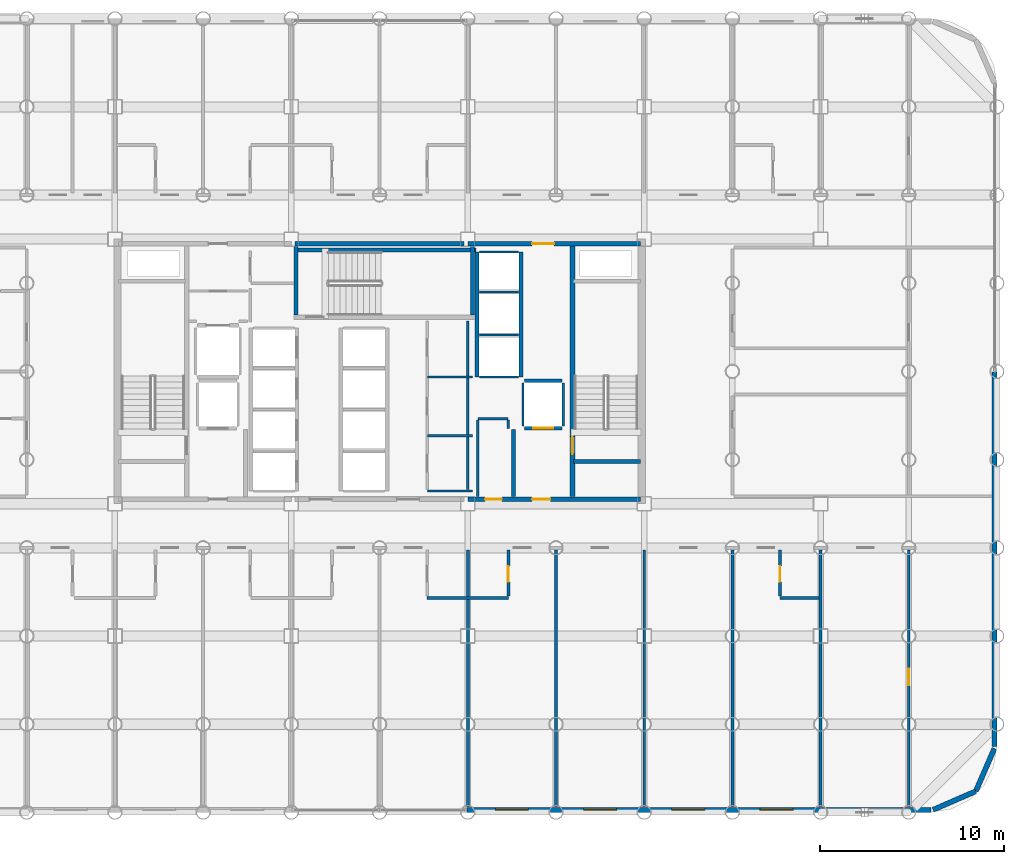
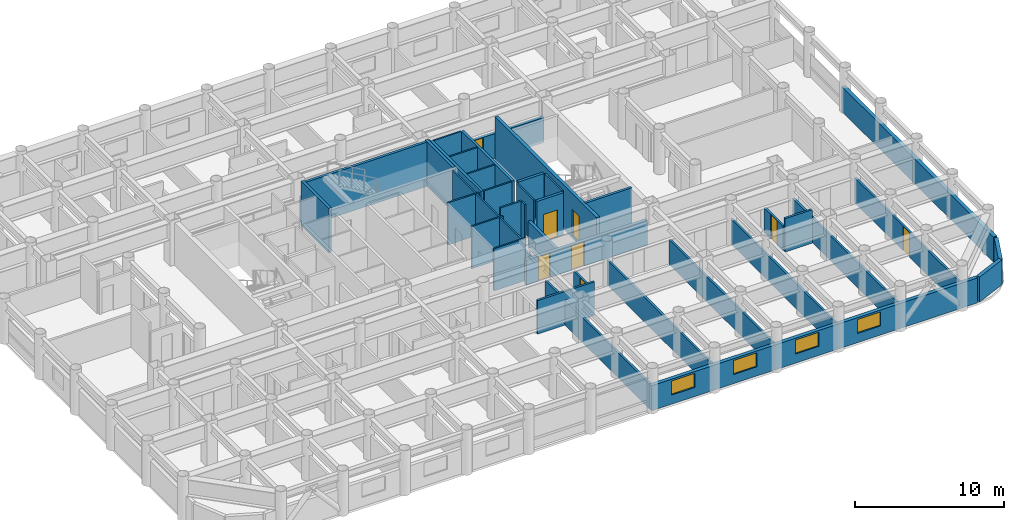
# One storey, part 17 of 21: 40 walls, 8 doors, 4 windows, 12 openings.
"""IFC4 building model written with IfcOpenShell, lengths in metres."""

from ifc_helpers import new_model, si_unit, direction, frame, frame_2d, origin, place, context, subcontext, project, spatial, rectangle, extrude, material, layer, layer_set, type_object, element, fill, save


model = new_model("IFC4")

# Units and contexts
model_context = context("Model", 3, precision=1e-05, world=origin(), true_north=direction((0.0, 1.0)))
body_context = subcontext(model_context, "Body", "Model", "MODEL_VIEW")
ifc_project = project(units=[si_unit("LENGTHUNIT", "METRE"), si_unit("AREAUNIT", "SQUARE_METRE"), si_unit("VOLUMEUNIT", "CUBIC_METRE"), si_unit("PLANEANGLEUNIT", "RADIAN"), si_unit("MASSUNIT", "GRAM", prefix="KILO")], contexts=[model_context])

# Site, building, storey
site_placement = place(None, origin())
site = spatial("IfcSite", under=ifc_project, at=site_placement, CompositionType="ELEMENT")
building_placement = place(site_placement, origin())
building = spatial("IfcBuilding", under=site, at=building_placement, Name="Kallvorn Hotel Tower", CompositionType="ELEMENT")
storey_placement = place(building_placement, frame((0.0, 0.0, 85.5)))
storey = spatial("IfcBuildingStorey", under=building, at=storey_placement, Name="L20", CompositionType="ELEMENT", Elevation=85.5)

# Walls
ifc_material_1 = material(Name="Fire-rated double-layer acoustic gypsum drywall EI 60")
ifc_layer_1 = layer(ifc_material_1, 0.159912109375)
ifc_layer_set_1 = layer_set([ifc_layer_1], Name="WL_DEMISE_160")
wall_type_1 = type_object("IfcWallType", Name="WL_DEMISE_160", PredefinedType="PARTITIONING", material=ifc_layer_set_1)
wall_1_placement = place(storey_placement, frame((2.590087890625, -12.320068359375, 0.0), z_axis=(0.0, 0.0, 1.0), x_axis=(1.0, 0.0, 0.0)))
element("IfcWall", 1, at=wall_1_placement, inside=storey, type_object=wall_type_1, Name="L20 Suite 2007 Superior Twin Room Partition", PredefinedType="PARTITIONING", context=body_context, shape_type="SweptSolid", body=[
    extrude(rectangle(XDim=4.419921875, YDim=0.159912109375, at=frame_2d((2.2099609375, 0.0))), origin(), (0.0, 0.0, 1.0), 2.75),
])
wall_2_placement = place(storey_placement, frame((21.7900390625, -12.320068359375, 0.0), z_axis=(0.0, 0.0, 1.0), x_axis=(1.0, 0.0, 0.0)))
element("IfcWall", 2, at=wall_2_placement, inside=storey, type_object=wall_type_1, Name="L20 Suite 2009 Deluxe King Room Partition", PredefinedType="PARTITIONING", context=body_context, shape_type="SweptSolid", body=[
    extrude(rectangle(XDim=2.1298828125, YDim=0.159912109375, at=frame_2d((1.06494140625, 0.0))), origin(), (0.0, 0.0, 1.0), 2.75),
])
wall_3_placement = place(storey_placement, frame((4.800048828125, -23.7099609375, 0.0), z_axis=(0.0, 0.0, 1.0), x_axis=(0.0, 1.0, 0.0)))
element("IfcWall", 3, at=wall_3_placement, inside=storey, type_object=wall_type_1, Name="L20 Suite 2007 Superior Twin Room Partition", PredefinedType="PARTITIONING", context=body_context, shape_type="SweptSolid", body=[
    extrude(rectangle(XDim=13.989990234375, YDim=0.159912109375, at=frame_2d((6.9951171875, 0.0))), origin(), (0.0, 0.0, 1.0), 2.050048828125),
])

# Wall, opening, door
wall_4_placement = place(storey_placement, frame((7.006591796875, -12.235107421875, 0.0), z_axis=(0.0, 0.0, 1.0), x_axis=(0.0, 1.0, 0.0)))
wall_4 = element("IfcWall", 4, at=wall_4_placement, inside=storey, type_object=wall_type_1, Name="L20 Suite 2008 Superior Twin Room Partition", PredefinedType="PARTITIONING", context=body_context, shape_type="SweptSolid", body=[
    extrude(rectangle(XDim=2.51513671875, YDim=0.159912109375, at=frame_2d((1.257568359375, 0.0))), origin(), (0.0, 0.0, 1.0), 2.050048828125),
])
opening_1_placement = place(wall_4_placement, frame((0.784912109375, 0.0, 0.0)))
opening_1 = element("IfcOpeningElement", 5, at=opening_1_placement, cuts=wall_4, Name="Opening BD-IA", PredefinedType="OPENING", context=body_context, shape_type="SweptSolid", body=[
    extrude(rectangle(XDim=0.860107421875, YDim=2.02001953125, at=frame_2d((0.43017578125, 1.010009765625))), frame((0.0, 0.094970703125, 0.0), z_axis=(0.0, -1.0, 0.0), x_axis=(1.0, 0.0, 0.0)), (0.0, 0.0, 1.0), 0.18994140625),
])
ifc_material_2 = material(Name="Solid-core walnut veneer fire-rated timber door leaf", Category="wood")
door_type_1 = type_object("IfcDoorType", Name="DR_BATH_860x2020", OperationType="NOTDEFINED", PredefinedType="DOOR", material=ifc_material_2)
door_1_placement = place(opening_1_placement, origin())
door_1 = element("IfcDoor", 6, at=door_1_placement, inside=storey, type_object=door_type_1, Name="L20 Suite 2008 En-Suite Bathroom Door", OperationType="SINGLE_SWING_RIGHT", OverallHeight=2.02001953125, OverallWidth=0.860107421875, PredefinedType="DOOR", context=body_context, shape_type="SweptSolid", body=[
    extrude(rectangle(XDim=0.860107421875, YDim=2.02001953125, at=frame_2d((0.43017578125, 1.010009765625))), frame((0.0, 0.02490234375, 0.0), z_axis=(0.0, -1.0, 0.0), x_axis=(1.0, 0.0, 0.0)), (0.0, 0.0, 1.0), 0.050048828125),
])
fill(opening_1, door_1)

# Walls
for number, where, z_axis, x_axis, name in (
    (7, (9.60009765625, -23.7099609375, 0.0), (0.0, 0.0, 1.0), (0.0, 1.0, 0.0), "L20 Suite 2008 Superior Twin Room Partition"),
    (8, (19.199951171875, -23.7099609375, 0.0), (0.0, 0.0, 1.0), (0.0, 1.0, 0.0), "L20 Suite 2009 Deluxe King Room Partition"),
):
    element("IfcWall", number, at=place(storey_placement, frame(where, z_axis=z_axis, x_axis=x_axis)), inside=storey, type_object=wall_type_1, Name=name, PredefinedType="PARTITIONING", context=body_context, shape_type="SweptSolid", body=[
        extrude(rectangle(XDim=13.989990234375, YDim=0.159912109375, at=frame_2d((6.9951171875, 0.0))), origin(), (0.0, 0.0, 1.0), 2.050048828125),
    ])

# Wall, opening, door
wall_5_placement = place(storey_placement, frame((21.7900390625, -12.235107421875, 0.0), z_axis=(0.0, 0.0, 1.0), x_axis=(0.0, 1.0, 0.0)))
wall_5 = element("IfcWall", 9, at=wall_5_placement, inside=storey, type_object=wall_type_1, Name="L20 Suite 2009 Deluxe King Room Partition", PredefinedType="PARTITIONING", context=body_context, shape_type="SweptSolid", body=[
    extrude(rectangle(XDim=2.51513671875, YDim=0.159912109375, at=frame_2d((1.257568359375, 0.0))), origin(), (0.0, 0.0, 1.0), 2.050048828125),
])
opening_2_placement = place(wall_5_placement, frame((0.784912109375, 0.0, 0.0)))
opening_2 = element("IfcOpeningElement", 10, at=opening_2_placement, cuts=wall_5, Name="Opening BD-IA", PredefinedType="OPENING", context=body_context, shape_type="SweptSolid", body=[
    extrude(rectangle(XDim=0.860107421875, YDim=2.02001953125, at=frame_2d((0.43017578125, 1.010009765625))), frame((0.0, 0.094970703125, 0.0), z_axis=(0.0, -1.0, 0.0), x_axis=(1.0, 0.0, 0.0)), (0.0, 0.0, 1.0), 0.18994140625),
])
door_2_placement = place(opening_2_placement, origin())
door_2 = element("IfcDoor", 11, at=door_2_placement, inside=storey, type_object=door_type_1, Name="L20 Suite 2009 En-Suite Bathroom Door", OperationType="SINGLE_SWING_LEFT", OverallHeight=2.02001953125, OverallWidth=0.860107421875, PredefinedType="DOOR", context=body_context, shape_type="SweptSolid", body=[
    extrude(rectangle(XDim=0.860107421875, YDim=2.02001953125, at=frame_2d((0.43017578125, 1.010009765625))), frame((0.0, 0.02490234375, 0.0), z_axis=(0.0, -1.0, 0.0), x_axis=(1.0, 0.0, 0.0)), (0.0, 0.0, 1.0), 0.050048828125),
])
fill(opening_2, door_2)

# Walls
wall_6_placement = place(storey_placement, frame((24.0, -23.7099609375, 0.0), z_axis=(0.0, 0.0, 1.0), x_axis=(0.0, 1.0, 0.0)))
element("IfcWall", 12, at=wall_6_placement, inside=storey, type_object=wall_type_1, Name="L20 Suite 2009 Deluxe King Room Partition", PredefinedType="PARTITIONING", context=body_context, shape_type="SweptSolid", body=[
    extrude(rectangle(XDim=13.989990234375, YDim=0.159912109375, at=frame_2d((6.9951171875, 0.0))), origin(), (0.0, 0.0, 1.0), 2.050048828125),
])
ifc_material_3 = material(Name="Precast basalt-clad insulated concrete wall C40/50", Category="masonry")
ifc_layer_2 = layer(ifc_material_3, 0.280029296875)
ifc_layer_set_2 = layer_set([ifc_layer_2], Name="WL_EXT_LOGGIA_280")
wall_type_2 = type_object("IfcWallType", Name="WL_EXT_LOGGIA_280", PredefinedType="SOLIDWALL", material=ifc_layer_set_2)
wall_7_placement = place(storey_placement, frame((30.120849609375, -23.85791015625, 0.0), z_axis=(0.0, 0.0, 1.0), x_axis=(0.917060872934, 0.398747232384, 0.0)))
element("IfcWall", 13, at=wall_7_placement, inside=storey, type_object=wall_type_2, Name="L20 Rounded Corner Exterior Wall SE1", PredefinedType="SOLIDWALL", context=body_context, shape_type="SweptSolid", body=[
    extrude(rectangle(XDim=2.5361328125, YDim=0.280029296875, at=frame_2d((1.26806640625, 0.0))), origin(), (0.0, 0.0, 1.0), 2.050048828125),
])
wall_8_placement = place(storey_placement, frame((32.446533203125, -22.8466796875, 0.0), z_axis=(0.0, 0.0, 1.0), x_axis=(0.398792985289, 0.917040977756, 0.0)))
element("IfcWall", 14, at=wall_8_placement, inside=storey, type_object=wall_type_2, Name="L20 Rounded Corner Exterior Wall SE2", PredefinedType="SOLIDWALL", context=body_context, shape_type="SweptSolid", body=[
    extrude(rectangle(XDim=2.536376953125, YDim=0.280029296875, at=frame_2d((1.26806640625, 0.0))), origin(), (0.0, 0.0, 1.0), 2.050048828125),
])

# Wall, openings, windows
wall_9_placement = place(storey_placement, frame((4.75, -23.860107421875, 0.0), z_axis=(0.0, 0.0, 1.0), x_axis=(1.0, 0.0, 0.0)))
wall_9 = element("IfcWall", 15, at=wall_9_placement, inside=storey, type_object=wall_type_2, Name="L20 Exterior Envelope Wall EW-L20-SE", PredefinedType="SOLIDWALL", context=body_context, shape_type="SweptSolid", body=[
    extrude(rectangle(XDim=25.25, YDim=0.280029296875, at=frame_2d((12.625, 0.0))), origin(), (0.0, 0.0, 1.0), 2.050048828125),
])
opening_3_placement = place(wall_9_placement, frame((1.550048828125, 0.0, 0.75)))
opening_3 = element("IfcOpeningElement", 16, at=opening_3_placement, cuts=wall_9, Name="Opening W04A", PredefinedType="OPENING", context=body_context, shape_type="SweptSolid", body=[
    extrude(rectangle(XDim=1.800048828125, YDim=1.14990234375, at=frame_2d((0.89990234375, 0.574951171875))), frame((0.0, 0.155029296875, 0.0), z_axis=(0.0, -1.0, 0.0), x_axis=(1.0, 0.0, 0.0)), (0.0, 0.0, 1.0), 0.31005859375),
])
opening_4_placement = place(wall_9_placement, frame((6.35009765625, 0.0, 0.75)))
opening_4 = element("IfcOpeningElement", 17, at=opening_4_placement, cuts=wall_9, Name="Opening W04A", PredefinedType="OPENING", context=body_context, shape_type="SweptSolid", body=[
    extrude(rectangle(XDim=1.800048828125, YDim=1.14990234375, at=frame_2d((0.89990234375, 0.574951171875))), frame((0.0, 0.155029296875, 0.0), z_axis=(0.0, -1.0, 0.0), x_axis=(1.0, 0.0, 0.0)), (0.0, 0.0, 1.0), 0.31005859375),
])
opening_5_placement = place(wall_9_placement, frame((11.14990234375, 0.0, 0.75)))
opening_5 = element("IfcOpeningElement", 18, at=opening_5_placement, cuts=wall_9, Name="Opening W04A", PredefinedType="OPENING", context=body_context, shape_type="SweptSolid", body=[
    extrude(rectangle(XDim=1.800048828125, YDim=1.14990234375, at=frame_2d((0.89990234375, 0.574951171875))), frame((0.0, 0.155029296875, 0.0), z_axis=(0.0, -1.0, 0.0), x_axis=(1.0, 0.0, 0.0)), (0.0, 0.0, 1.0), 0.31005859375),
])
opening_6_placement = place(wall_9_placement, frame((15.949951171875, 0.0, 0.75)))
opening_6 = element("IfcOpeningElement", 19, at=opening_6_placement, cuts=wall_9, Name="Opening W04A", PredefinedType="OPENING", context=body_context, shape_type="SweptSolid", body=[
    extrude(rectangle(XDim=1.800048828125, YDim=1.14990234375, at=frame_2d((0.89990234375, 0.574951171875))), frame((0.0, 0.155029296875, 0.0), z_axis=(0.0, -1.0, 0.0), x_axis=(1.0, 0.0, 0.0)), (0.0, 0.0, 1.0), 0.31005859375),
])
ifc_material_4 = material(Name="Double-glazed low-e solar-control dark glass", Category="glass")
window_type = type_object("IfcWindowType", Name="WN_HTL_1800x1150", PartitioningType="SINGLE_PANEL", PredefinedType="WINDOW", material=ifc_material_4)
window_1_placement = place(opening_3_placement, origin())
window_1 = element("IfcWindow", 20, at=window_1_placement, inside=storey, type_object=window_type, Name="L20 Guestroom Exterior Window 05", OverallHeight=1.14990234375, OverallWidth=1.800048828125, PartitioningType="SINGLE_PANEL", PredefinedType="WINDOW", context=body_context, shape_type="SweptSolid", body=[
    extrude(rectangle(XDim=1.800048828125, YDim=1.14990234375, at=frame_2d((0.89990234375, 0.574951171875))), frame((0.0, 0.030029296875, 0.0), z_axis=(0.0, -1.0, 0.0), x_axis=(1.0, 0.0, 0.0)), (0.0, 0.0, 1.0), 0.06005859375),
])
fill(opening_3, window_1)
window_2_placement = place(opening_4_placement, origin())
window_2 = element("IfcWindow", 21, at=window_2_placement, inside=storey, type_object=window_type, Name="L20 Guestroom Exterior Window 06", OverallHeight=1.14990234375, OverallWidth=1.800048828125, PartitioningType="SINGLE_PANEL", PredefinedType="WINDOW", context=body_context, shape_type="SweptSolid", body=[
    extrude(rectangle(XDim=1.800048828125, YDim=1.14990234375, at=frame_2d((0.89990234375, 0.574951171875))), frame((0.0, 0.030029296875, 0.0), z_axis=(0.0, -1.0, 0.0), x_axis=(1.0, 0.0, 0.0)), (0.0, 0.0, 1.0), 0.06005859375),
])
fill(opening_4, window_2)
window_3_placement = place(opening_5_placement, origin())
window_3 = element("IfcWindow", 22, at=window_3_placement, inside=storey, type_object=window_type, Name="L20 Guestroom Exterior Window 07", OverallHeight=1.14990234375, OverallWidth=1.800048828125, PartitioningType="SINGLE_PANEL", PredefinedType="WINDOW", context=body_context, shape_type="SweptSolid", body=[
    extrude(rectangle(XDim=1.800048828125, YDim=1.14990234375, at=frame_2d((0.89990234375, 0.574951171875))), frame((0.0, 0.030029296875, 0.0), z_axis=(0.0, -1.0, 0.0), x_axis=(1.0, 0.0, 0.0)), (0.0, 0.0, 1.0), 0.06005859375),
])
fill(opening_5, window_3)
window_4_placement = place(opening_6_placement, origin())
window_4 = element("IfcWindow", 23, at=window_4_placement, inside=storey, type_object=window_type, Name="L20 Guestroom Exterior Window 08", OverallHeight=1.14990234375, OverallWidth=1.800048828125, PartitioningType="SINGLE_PANEL", PredefinedType="WINDOW", context=body_context, shape_type="SweptSolid", body=[
    extrude(rectangle(XDim=1.800048828125, YDim=1.14990234375, at=frame_2d((0.89990234375, 0.574951171875))), frame((0.0, 0.030029296875, 0.0), z_axis=(0.0, -1.0, 0.0), x_axis=(1.0, 0.0, 0.0)), (0.0, 0.0, 1.0), 0.06005859375),
])
fill(opening_6, window_4)

# Walls
wall_10_placement = place(storey_placement, frame((33.4599609375, -20.39990234375, 0.0), z_axis=(0.0, 0.0, 1.0), x_axis=(0.0, 1.0, 0.0)))
element("IfcWall", 24, at=wall_10_placement, inside=storey, type_object=wall_type_2, Name="L20 Exterior Envelope Wall EW-L20-ES", PredefinedType="SOLIDWALL", context=body_context, shape_type="SweptSolid", body=[
    extrude(rectangle(XDim=20.3798828125, YDim=0.280029296875, at=frame_2d((10.18994140625, 0.0))), origin(), (0.0, 0.0, 1.0), 2.050048828125),
])
ifc_material_5 = material(Name="Concrete C40/50", Category="concrete")
ifc_layer_3 = layer(ifc_material_5, 0.219970703125)
ifc_layer_set_3 = layer_set([ifc_layer_3], Name="WL_FFL_220")
wall_type_3 = type_object("IfcWallType", Name="WL_FFL_220", PredefinedType="SOLIDWALL", material=ifc_layer_set_3)
wall_11_placement = place(storey_placement, frame((7.300048828125, -6.820068359375, 0.0), z_axis=(0.0, 0.0, 1.0), x_axis=(0.0, 1.0, 0.0)))
element("IfcWall", 25, at=wall_11_placement, inside=storey, type_object=wall_type_3, Name="L20 Firefighting Lobby East Divider Wall", PredefinedType="SOLIDWALL", context=body_context, shape_type="SweptSolid", body=[
    extrude(rectangle(XDim=3.670166015625, YDim=0.219970703125, at=frame_2d((1.8349609375, 0.0))), origin(), (0.0, 0.0, 1.0), 2.050048828125),
])
ifc_material_6 = material(Name="Concrete C40/50", Category="concrete")
ifc_layer_4 = layer(ifc_material_6, 0.199951171875)
ifc_layer_set_4 = layer_set([ifc_layer_4], Name="WL_HOIST_200")
wall_type_4 = type_object("IfcWallType", Name="WL_HOIST_200", PredefinedType="SOLIDWALL", material=ifc_layer_set_4)
wall_12_placement = place(storey_placement, frame((10.550048828125, -4.89990234375, -0.179931640625), z_axis=(0.0, 0.0, 1.0), x_axis=(1.0, 0.0, 0.0)))
element("IfcWall", 26, at=wall_12_placement, inside=storey, type_object=wall_type_4, Name="L20 Stair ST2 South Wall", PredefinedType="SOLIDWALL", context=body_context, shape_type="SweptSolid", body=[
    extrude(rectangle(XDim=3.64990234375, YDim=0.199951171875, at=frame_2d((1.824951171875, 0.0))), origin(), (0.0, 0.0, 1.0), 3.6298828125),
])
wall_13_placement = place(storey_placement, frame((-4.64990234375, 6.610107421875, -0.179931640625), z_axis=(0.0, 0.0, 1.0), x_axis=(1.0, 0.0, 0.0)))
element("IfcWall", 27, at=wall_13_placement, inside=storey, type_object=wall_type_4, Name="L20 Stair ST3 Shaft North Wall", PredefinedType="SOLIDWALL", context=body_context, shape_type="SweptSolid", body=[
    extrude(rectangle(XDim=9.89990234375, YDim=0.199951171875, at=frame_2d((4.949951171875, 0.0))), origin(), (0.0, 0.0, 1.0), 3.6298828125),
])
for number, where, z_axis, x_axis, name in (
    (28, (-4.550048828125, 3.080078125, -0.179931640625), (0.0, 0.0, 1.0), (0.0, 1.0, 0.0), "L20 Stair ST3 West Wall"),
    (29, (5.06005859375, 3.080078125, -0.179931640625), (0.0, 0.0, 1.0), (0.0, 1.0, 0.0), "L20 Stair ST3 East Wall"),
):
    element("IfcWall", number, at=place(storey_placement, frame(where, z_axis=z_axis, x_axis=x_axis)), inside=storey, type_object=wall_type_4, Name=name, PredefinedType="SOLIDWALL", context=body_context, shape_type="SweptSolid", body=[
        extrude(rectangle(XDim=3.739990234375, YDim=0.199951171875, at=frame_2d((1.8701171875, 0.0))), origin(), (0.0, 0.0, 1.0), 3.6298828125),
    ])
for number, where, z_axis, x_axis, name in (
    (30, (7.699951171875, -0.300048828125, 0.0), (0.0, 0.0, 1.0), (0.0, 1.0, 0.0), "L20 Lift Bank OBS Landing Wall"),
    (31, (5.300048828125, -0.300048828125, 0.0), (0.0, 0.0, 1.0), (0.0, 1.0, 0.0), "L20 Lift Bank OBS Rear Shaft Wall"),
):
    element("IfcWall", number, at=place(storey_placement, frame(where, z_axis=z_axis, x_axis=x_axis)), inside=storey, type_object=wall_type_4, Name=name, PredefinedType="SOLIDWALL", context=body_context, shape_type="SweptSolid", body=[
        extrude(rectangle(XDim=6.800048828125, YDim=0.199951171875, at=frame_2d((3.39990234375, 0.0))), origin(), (0.0, 0.0, 1.0), 3.449951171875),
    ])

# Wall, opening, door
wall_14_placement = place(storey_placement, frame((7.8798828125, -3.10009765625, 0.0), z_axis=(0.0, 0.0, 1.0), x_axis=(1.0, 0.0, 0.0)))
wall_14 = element("IfcWall", 32, at=wall_14_placement, inside=storey, type_object=wall_type_4, Name="L20 FL-2 Landing Wall", PredefinedType="SOLIDWALL", context=body_context, shape_type="SweptSolid", body=[
    extrude(rectangle(XDim=2.0400390625, YDim=0.199951171875, at=frame_2d((1.02001953125, 0.0))), origin(), (0.0, 0.0, 1.0), 3.449951171875),
])
opening_7_placement = place(wall_14_placement, frame((0.469970703125, 0.0, 0.0)))
opening_7 = element("IfcOpeningElement", 33, at=opening_7_placement, cuts=wall_14, Name="Opening LD-FL-2", PredefinedType="OPENING", context=body_context, shape_type="SweptSolid", body=[
    extrude(rectangle(XDim=1.10009765625, YDim=2.199951171875, at=frame_2d((0.550048828125, 1.10009765625))), frame((0.0, 0.114990234375, 0.0), z_axis=(0.0, -1.0, 0.0), x_axis=(1.0, 0.0, 0.0)), (0.0, 0.0, 1.0), 0.22998046875),
])
ifc_material_7 = material(Name="Brushed stainless-steel automatic sliding lift landing door", Category="steel")
door_type_2 = type_object("IfcDoorType", Name="LD_PASS_1100x2200", OperationType="SLIDING_TO_LEFT", PredefinedType="DOOR", material=ifc_material_7)
door_3_placement = place(opening_7_placement, origin())
door_3 = element("IfcDoor", 34, at=door_3_placement, inside=storey, type_object=door_type_2, Name="L20 Lift Landing Sliding Door LD-FL-2", OperationType="SLIDING_TO_LEFT", OverallHeight=2.199951171875, OverallWidth=1.10009765625, PredefinedType="DOOR", context=body_context, shape_type="SweptSolid", body=[
    extrude(rectangle(XDim=1.10009765625, YDim=2.199951171875, at=frame_2d((0.550048828125, 1.10009765625))), frame((0.0, 0.02490234375, 0.0), z_axis=(0.0, -1.0, 0.0), x_axis=(1.0, 0.0, 0.0)), (0.0, 0.0, 1.0), 0.050048828125),
])
fill(opening_7, door_3)

# Walls
wall_15_placement = place(storey_placement, frame((7.8798828125, -0.5, 0.0), z_axis=(0.0, 0.0, 1.0), x_axis=(1.0, 0.0, 0.0)))
element("IfcWall", 35, at=wall_15_placement, inside=storey, type_object=wall_type_4, Name="L20 FL-2 Rear Shaft Wall", PredefinedType="SOLIDWALL", context=body_context, shape_type="SweptSolid", body=[
    extrude(rectangle(XDim=2.0400390625, YDim=0.199951171875, at=frame_2d((1.02001953125, 0.0))), origin(), (0.0, 0.0, 1.0), 3.449951171875),
])
ifc_material_8 = material(Name="Fire-rated double-layer acoustic gypsum drywall EI 60")
ifc_layer_5 = layer(ifc_material_8, 0.1201171875)
ifc_layer_set_5 = layer_set([ifc_layer_5], Name="WL_INT_120")
wall_type_5 = type_object("IfcWallType", Name="WL_INT_120", PredefinedType="PARTITIONING", material=ifc_layer_set_5)
for number, where, z_axis, x_axis, name in (
    (36, (5.43994140625, -0.300048828125, 0.0), (0.0, 0.0, 1.0), (1.0, 0.0, 0.0), "L20 Lift Bank OBS South Closure Wall"),
    (37, (5.43994140625, 1.97509765625, 0.0), (0.0, 0.0, 1.0), (1.0, 0.0, 0.0), "L20 OB-01 Hoistway Divider"),
    (38, (5.43994140625, 4.324951171875, 0.0), (0.0, 0.0, 1.0), (1.0, 0.0, 0.0), "L20 OB-02 Hoistway Divider"),
    (39, (5.43994140625, 6.5, 0.0), (0.0, 0.0, 1.0), (1.0, 0.0, 0.0), "L20 OB-03 Hoistway Divider"),
):
    element("IfcWall", number, at=place(storey_placement, frame(where, z_axis=z_axis, x_axis=x_axis)), inside=storey, type_object=wall_type_5, Name=name, PredefinedType="PARTITIONING", context=body_context, shape_type="SweptSolid", body=[
        extrude(rectangle(XDim=2.1201171875, YDim=0.1201171875, at=frame_2d((1.06005859375, 0.0))), origin(), (0.0, 0.0, 1.0), 3.449951171875),
    ])
for number, where, z_axis, x_axis, name in (
    (40, (7.800048828125, -2.9599609375, 0.0), (0.0, 0.0, 1.0), (0.0, 1.0, 0.0), "L20 FL-2 West Shaft Wall"),
    (41, (10.0, -2.9599609375, 0.0), (0.0, 0.0, 1.0), (0.0, 1.0, 0.0), "L20 FL-2 East Shaft Wall"),
):
    element("IfcWall", number, at=place(storey_placement, frame(where, z_axis=z_axis, x_axis=x_axis)), inside=storey, type_object=wall_type_5, Name=name, PredefinedType="PARTITIONING", context=body_context, shape_type="SweptSolid", body=[
        extrude(rectangle(XDim=2.320068359375, YDim=0.1201171875, at=frame_2d((1.16015625, 0.0))), origin(), (0.0, 0.0, 1.0), 3.449951171875),
    ])
for number, where, z_axis, x_axis, name in (
    (42, (2.60009765625, -6.5, 0.0), (0.0, 0.0, 1.0), (1.0, 0.0, 0.0), "L20 East Core Minibar Store Partition"),
    (43, (2.60009765625, -3.5, 0.0), (0.0, 0.0, 1.0), (1.0, 0.0, 0.0), "L20 East Core Housekeeping Supply Closet Partition"),
    (44, (2.60009765625, -0.300048828125, 0.0), (0.0, 0.0, 1.0), (1.0, 0.0, 0.0), "L20 East Core Cleaners Room Partition"),
):
    element("IfcWall", number, at=place(storey_placement, frame(where, z_axis=z_axis, x_axis=x_axis)), inside=storey, type_object=wall_type_5, Name=name, PredefinedType="PARTITIONING", context=body_context, shape_type="SweptSolid", body=[
        extrude(rectangle(XDim=2.449951171875, YDim=0.1201171875, at=frame_2d((1.22509765625, 0.0))), origin(), (0.0, 0.0, 1.0), 3.449951171875),
    ])
wall_16_placement = place(storey_placement, frame((4.800048828125, -6.4150390625, 0.0), z_axis=(0.0, 0.0, 1.0), x_axis=(0.0, 1.0, 0.0)))
element("IfcWall", 45, at=wall_16_placement, inside=storey, type_object=wall_type_5, Name="L20 East Core Minibar Store Partition", PredefinedType="PARTITIONING", context=body_context, shape_type="SweptSolid", body=[
    extrude(rectangle(XDim=9.1650390625, YDim=0.1201171875, at=frame_2d((4.58251953125, 0.0))), origin(), (0.0, 0.0, 1.0), 3.449951171875),
])
ifc_material_9 = material(Name="Fire-rated double-layer acoustic gypsum drywall EI 60")
ifc_layer_6 = layer(ifc_material_9, 0.14990234375)
ifc_layer_set_6 = layer_set([ifc_layer_6], Name="WL_PART_150")
wall_type_6 = type_object("IfcWallType", Name="WL_PART_150", PredefinedType="PARTITIONING", material=ifc_layer_set_6)
wall_17_placement = place(storey_placement, frame((14.39990234375, -23.7099609375, 0.0), z_axis=(0.0, 0.0, 1.0), x_axis=(0.0, 1.0, 0.0)))
element("IfcWall", 46, at=wall_17_placement, inside=storey, type_object=wall_type_6, Name="L20 L20 Thermal Hydrotherapy Treatment Suite 7-1 Partition", PredefinedType="PARTITIONING", context=body_context, shape_type="SweptSolid", body=[
    extrude(rectangle(XDim=13.989990234375, YDim=0.14990234375, at=frame_2d((6.9951171875, 0.0))), origin(), (0.0, 0.0, 1.0), 2.050048828125),
])

# Wall, opening, door
wall_18_placement = place(storey_placement, frame((28.800048828125, -23.7099609375, 0.0), z_axis=(0.0, 0.0, 1.0), x_axis=(0.0, 1.0, 0.0)))
wall_18 = element("IfcWall", 47, at=wall_18_placement, inside=storey, type_object=wall_type_6, Name="L20 L20 South-East Sommelier Bar A Partition", PredefinedType="PARTITIONING", context=body_context, shape_type="SweptSolid", body=[
    extrude(rectangle(XDim=13.989990234375, YDim=0.14990234375, at=frame_2d((6.9951171875, 0.0))), origin(), (0.0, 0.0, 1.0), 2.050048828125),
])
opening_8_placement = place(wall_18_placement, frame((6.625, 0.0, 0.0)))
opening_8 = element("IfcOpeningElement", 48, at=opening_8_placement, cuts=wall_18, Name="Opening SVD1A", PredefinedType="OPENING", context=body_context, shape_type="SweptSolid", body=[
    extrude(rectangle(XDim=0.89990234375, YDim=2.02001953125, at=frame_2d((0.449951171875, 1.010009765625))), frame((0.0, 0.08984375, 0.0), z_axis=(0.0, -1.0, 0.0), x_axis=(1.0, 0.0, 0.0)), (0.0, 0.0, 1.0), 0.179931640625),
])
ifc_material_10 = material(Name="Galvanised painted steel fire-rated door assembly", Category="steel")
door_type_3 = type_object("IfcDoorType", Name="DR_SERV_900x2020", OperationType="NOTDEFINED", PredefinedType="DOOR", material=ifc_material_10)
door_4_placement = place(opening_8_placement, origin())
door_4 = element("IfcDoor", 49, at=door_4_placement, inside=storey, type_object=door_type_3, Name="L20 L20 South-East Sommelier Bar B Door", OperationType="SINGLE_SWING_RIGHT", OverallHeight=2.02001953125, OverallWidth=0.89990234375, PredefinedType="DOOR", context=body_context, shape_type="SweptSolid", body=[
    extrude(rectangle(XDim=0.89990234375, YDim=2.02001953125, at=frame_2d((0.449951171875, 1.010009765625))), frame((0.0, 0.02490234375, 0.0), z_axis=(0.0, -1.0, 0.0), x_axis=(1.0, 0.0, 0.0)), (0.0, 0.0, 1.0), 0.050048828125),
])
fill(opening_8, door_4)

# Walls
ifc_material_11 = material(Name="Moisture-resistant acoustic plumbing chase wall EI 60")
ifc_layer_7 = layer(ifc_material_11, 0.139892578125)
ifc_layer_set_7 = layer_set([ifc_layer_7], Name="WL_PLUMB_140")
wall_type_7 = type_object("IfcWallType", Name="WL_PLUMB_140", PredefinedType="PLUMBINGWALL", material=ifc_layer_set_7)
wall_19_placement = place(storey_placement, frame((5.35009765625, -2.566650390625, 0.0), z_axis=(0.0, 0.0, 1.0), x_axis=(1.0, 0.0, 0.0)))
element("IfcWall", 50, at=wall_19_placement, inside=storey, type_object=wall_type_7, Name="L20 Core Accessible Staff WC Partition", PredefinedType="PLUMBINGWALL", context=body_context, shape_type="SweptSolid", body=[
    extrude(rectangle(XDim=1.64990234375, YDim=0.139892578125, at=frame_2d((0.824951171875, 0.0))), origin(), (0.0, 0.0, 1.0), 3.449951171875),
])
wall_20_placement = place(storey_placement, frame((5.35009765625, -6.800048828125, 0.0), z_axis=(0.0, 0.0, 1.0), x_axis=(0.0, 1.0, 0.0)))
element("IfcWall", 51, at=wall_20_placement, inside=storey, type_object=wall_type_7, Name="L20 Core Accessible Staff WC Partition", PredefinedType="PLUMBINGWALL", context=body_context, shape_type="SweptSolid", body=[
    extrude(rectangle(XDim=4.1484375, YDim=0.139892578125, at=frame_2d((2.07421875, 0.0))), origin(), (0.0, 0.0, 1.0), 2.050048828125),
])
wall_21_placement = place(storey_placement, frame((7.006591796875, -3.110107421875, 0.0), z_axis=(0.0, 0.0, 1.0), x_axis=(0.0, 1.0, 0.0)))
element("IfcWall", 52, at=wall_21_placement, inside=storey, type_object=wall_type_7, Name="L20 Core Accessible Staff WC Partition", PredefinedType="PLUMBINGWALL", context=body_context, shape_type="SweptSolid", body=[
    extrude(rectangle(XDim=0.45849609375, YDim=0.139892578125, at=frame_2d((0.229248046875, 0.0))), origin(), (0.0, 0.0, 1.0), 3.449951171875),
])

# Wall, openings, doors
ifc_material_12 = material(Name="Concrete C40/50", Category="concrete")
ifc_layer_8 = layer(ifc_material_12, 0.25)
ifc_layer_set_8 = layer_set([ifc_layer_8], Name="WL_SHAFT_250")
wall_type_8 = type_object("IfcWallType", Name="WL_SHAFT_250", PredefinedType="SOLIDWALL", material=ifc_layer_set_8)
wall_22_placement = place(storey_placement, frame((4.800048828125, -6.949951171875, 0.0), z_axis=(0.0, 0.0, 1.0), x_axis=(1.0, 0.0, 0.0)))
wall_22 = element("IfcWall", 53, at=wall_22_placement, inside=storey, type_object=wall_type_8, Name="L20 Core South-East Wall", PredefinedType="SOLIDWALL", context=body_context, shape_type="SweptSolid", body=[
    extrude(rectangle(XDim=9.39990234375, YDim=0.25, at=frame_2d((4.699951171875, 0.0))), origin(), (0.0, 0.0, 1.0), 2.050048828125),
])
opening_9_placement = place(wall_22_placement, frame((3.5, 0.0, 0.0)))
opening_9 = element("IfcOpeningElement", 54, at=opening_9_placement, cuts=wall_22, Name="Opening FD1A", PredefinedType="OPENING", context=body_context, shape_type="SweptSolid", body=[
    extrude(rectangle(XDim=1.0, YDim=2.02001953125, at=frame_2d((0.5, 1.010009765625))), frame((0.0, 0.139892578125, 0.0), z_axis=(0.0, -1.0, 0.0), x_axis=(1.0, 0.0, 0.0)), (0.0, 0.0, 1.0), 0.280029296875),
])
opening_10_placement = place(wall_22_placement, frame((0.949951171875, 0.0, 0.0)))
opening_10 = element("IfcOpeningElement", 55, at=opening_10_placement, cuts=wall_22, Name="Opening SVD1A", PredefinedType="OPENING", context=body_context, shape_type="SweptSolid", body=[
    extrude(rectangle(XDim=0.89990234375, YDim=2.02001953125, at=frame_2d((0.449951171875, 1.010009765625))), frame((0.0, 0.139892578125, 0.0), z_axis=(0.0, -1.0, 0.0), x_axis=(1.0, 0.0, 0.0)), (0.0, 0.0, 1.0), 0.280029296875),
])
ifc_material_13 = material(Name="Galvanised painted steel fire-rated door assembly", Category="steel")
door_type_4 = type_object("IfcDoorType", Name="DR_FFL_1000x2020", OperationType="NOTDEFINED", PredefinedType="DOOR", material=ifc_material_13)
door_5_placement = place(opening_9_placement, origin())
door_5 = element("IfcDoor", 56, at=door_5_placement, inside=storey, type_object=door_type_4, Name="L20 Firefighting Lobby East Door", OperationType="SINGLE_SWING_RIGHT", OverallHeight=2.02001953125, OverallWidth=1.0, PredefinedType="DOOR", context=body_context, shape_type="SweptSolid", body=[
    extrude(rectangle(XDim=1.0, YDim=2.02001953125, at=frame_2d((0.5, 1.010009765625))), frame((0.0, 0.02490234375, 0.0), z_axis=(0.0, -1.0, 0.0), x_axis=(1.0, 0.0, 0.0)), (0.0, 0.0, 1.0), 0.050048828125),
])
fill(opening_9, door_5)
door_6_placement = place(opening_10_placement, origin())
door_6 = element("IfcDoor", 57, at=door_6_placement, inside=storey, type_object=door_type_3, Name="L20 Core Accessible Staff WC Door", OperationType="SINGLE_SWING_RIGHT", OverallHeight=2.02001953125, OverallWidth=0.89990234375, PredefinedType="DOOR", context=body_context, shape_type="SweptSolid", body=[
    extrude(rectangle(XDim=0.89990234375, YDim=2.02001953125, at=frame_2d((0.449951171875, 1.010009765625))), frame((0.0, 0.02490234375, 0.0), z_axis=(0.0, -1.0, 0.0), x_axis=(1.0, 0.0, 0.0)), (0.0, 0.0, 1.0), 0.050048828125),
])
fill(opening_10, door_6)

# Wall
wall_23_placement = place(storey_placement, frame((-4.60009765625, 6.949951171875, 0.0), z_axis=(0.0, 0.0, 1.0), x_axis=(1.0, 0.0, 0.0)))
element("IfcWall", 58, at=wall_23_placement, inside=storey, type_object=wall_type_8, Name="L20 Core North-Central Wall", PredefinedType="SOLIDWALL", context=body_context, shape_type="SweptSolid", body=[
    extrude(rectangle(XDim=9.2001953125, YDim=0.25, at=frame_2d((4.60009765625, 0.0))), origin(), (0.0, 0.0, 1.0), 2.050048828125),
])

# Wall, opening, door
wall_24_placement = place(storey_placement, frame((4.800048828125, 6.949951171875, 0.0), z_axis=(0.0, 0.0, 1.0), x_axis=(1.0, 0.0, 0.0)))
wall_24 = element("IfcWall", 59, at=wall_24_placement, inside=storey, type_object=wall_type_8, Name="L20 Core North-East Wall", PredefinedType="SOLIDWALL", context=body_context, shape_type="SweptSolid", body=[
    extrude(rectangle(XDim=9.39990234375, YDim=0.25, at=frame_2d((4.699951171875, 0.0))), origin(), (0.0, 0.0, 1.0), 2.050048828125),
])
opening_11_placement = place(wall_24_placement, frame((3.5, 0.0, 0.0)))
opening_11 = element("IfcOpeningElement", 60, at=opening_11_placement, cuts=wall_24, Name="Opening FD2A", PredefinedType="OPENING", context=body_context, shape_type="SweptSolid", body=[
    extrude(rectangle(XDim=1.199951171875, YDim=2.02001953125, at=frame_2d((0.60009765625, 1.010009765625))), frame((0.0, 0.139892578125, 0.0), z_axis=(0.0, -1.0, 0.0), x_axis=(1.0, 0.0, 0.0)), (0.0, 0.0, 1.0), 0.280029296875),
])
ifc_material_14 = material(Name="Galvanised painted steel fire-rated door assembly", Category="steel")
door_type_5 = type_object("IfcDoorType", Name="DR_LOBBY_1200x2020", OperationType="DOUBLE_DOOR_SINGLE_SWING", PredefinedType="DOOR", material=ifc_material_14)
door_7_placement = place(opening_11_placement, origin())
door_7 = element("IfcDoor", 61, at=door_7_placement, inside=storey, type_object=door_type_5, Name="L20 Observatory Shuttle Lobby Door", OperationType="DOUBLE_DOOR_SINGLE_SWING", OverallHeight=2.02001953125, OverallWidth=1.199951171875, PredefinedType="DOOR", context=body_context, shape_type="SweptSolid", body=[
    extrude(rectangle(XDim=1.199951171875, YDim=2.02001953125, at=frame_2d((0.60009765625, 1.010009765625))), frame((0.0, 0.02490234375, 0.0), z_axis=(0.0, -1.0, 0.0), x_axis=(1.0, 0.0, 0.0)), (0.0, 0.0, 1.0), 0.050048828125),
])
fill(opening_11, door_7)

wall_25_placement = place(storey_placement, frame((10.5, -6.820068359375, -0.179931640625), z_axis=(0.0, 0.0, 1.0), x_axis=(0.0, 1.0, 0.0)))
wall_25 = element("IfcWall", 62, at=wall_25_placement, inside=storey, type_object=wall_type_8, Name="L20 Stair ST2 Shaft Wall", PredefinedType="SOLIDWALL", context=body_context, shape_type="SweptSolid", body=[
    extrude(rectangle(XDim=13.64013671875, YDim=0.25, at=frame_2d((6.820068359375, 0.0))), origin(), (0.0, 0.0, 1.0), 3.6298828125),
])
opening_12_placement = place(wall_25_placement, frame((2.320068359375, 0.0, 0.179931640625)))
opening_12 = element("IfcOpeningElement", 63, at=opening_12_placement, cuts=wall_25, Name="Opening SD1", PredefinedType="OPENING", context=body_context, shape_type="SweptSolid", body=[
    extrude(rectangle(XDim=0.949951171875, YDim=2.14990234375, at=frame_2d((0.47509765625, 1.074951171875))), frame((0.0, 0.139892578125, 0.0), z_axis=(0.0, -1.0, 0.0), x_axis=(1.0, 0.0, 0.0)), (0.0, 0.0, 1.0), 0.280029296875),
])
ifc_material_15 = material(Name="Galvanised painted steel fire-rated door assembly", Category="steel")
door_type_6 = type_object("IfcDoorType", Name="DR_STAIR_950x2150", OperationType="NOTDEFINED", PredefinedType="DOOR", material=ifc_material_15)
door_8_placement = place(opening_12_placement, origin())
door_8 = element("IfcDoor", 64, at=door_8_placement, inside=storey, type_object=door_type_6, Name="L20 Exit Stair ST2 Fire Door", OperationType="SINGLE_SWING_LEFT", OverallHeight=2.14990234375, OverallWidth=0.949951171875, PredefinedType="DOOR", context=body_context, shape_type="SweptSolid", body=[
    extrude(rectangle(XDim=0.949951171875, YDim=2.14990234375, at=frame_2d((0.47509765625, 1.074951171875))), frame((0.0, 0.02490234375, 0.0), z_axis=(0.0, -1.0, 0.0), x_axis=(1.0, 0.0, 0.0)), (0.0, 0.0, 1.0), 0.050048828125),
])
fill(opening_12, door_8)

save(model, "model.ifc")
